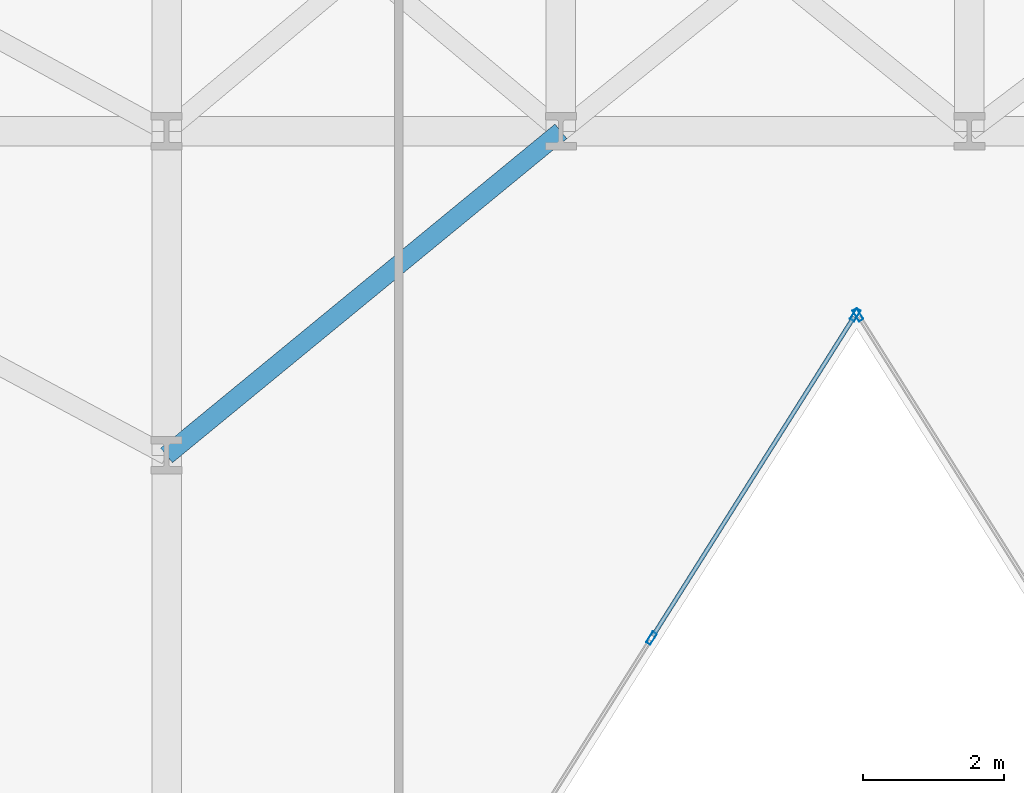
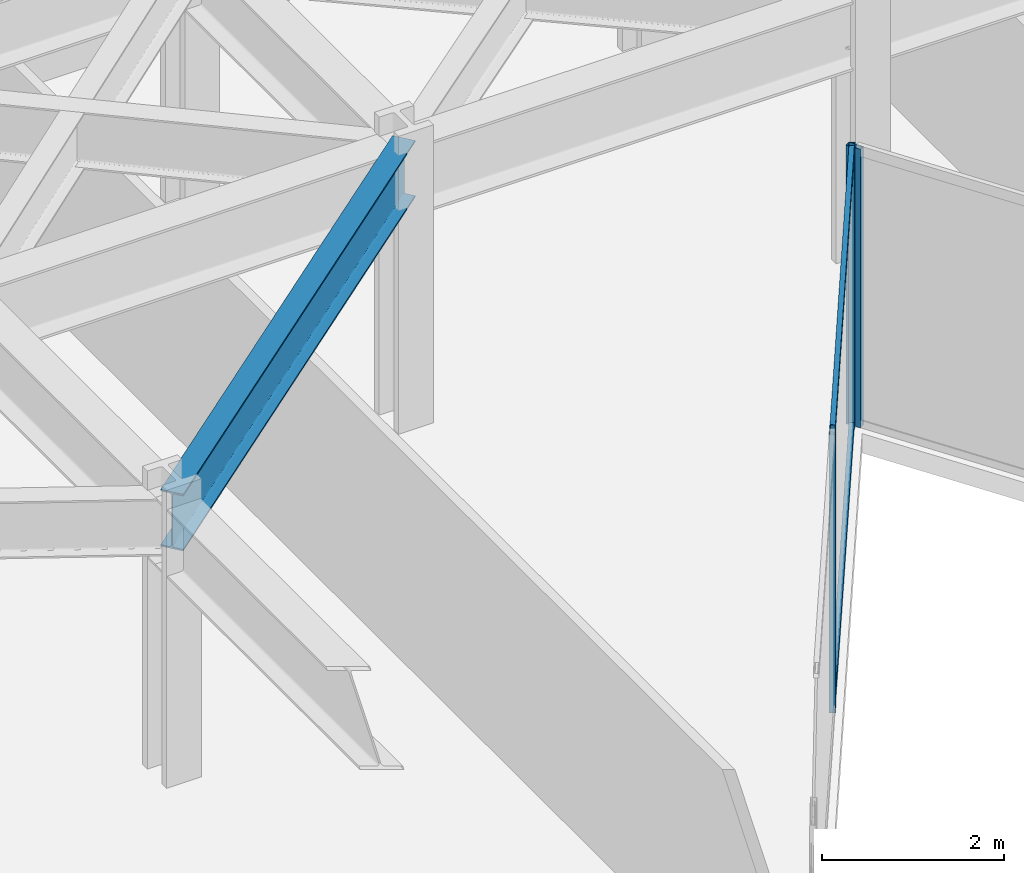
# One storey, part 10 of 24: 5 members, 1 beam, 2 elements without a shape of their own.
"""IFC4 building model written with IfcOpenShell, lengths in metres."""

from ifc_helpers import new_model, si_unit, direction, frame, origin, origin_2d, place, context, subcontext, project, spatial, hollow_rectangle, i_section, extrude, material, layer, layer_set, material_profile, profile_set, type_object, element, aggregate, save


model = new_model("IFC4")

# Units and contexts
model_context = context("Model", 3, precision=1e-05, world=origin(), true_north=direction((0.0, 1.0)))
body_context = subcontext(model_context, "Body", "Model", "MODEL_VIEW")
ifc_project = project(units=[si_unit("LENGTHUNIT", "METRE"), si_unit("AREAUNIT", "SQUARE_METRE"), si_unit("VOLUMEUNIT", "CUBIC_METRE"), si_unit("PLANEANGLEUNIT", "RADIAN"), si_unit("MASSUNIT", "GRAM", prefix="KILO")], contexts=[model_context])

# Site, building, storey
site_placement = place(None, origin())
site = spatial("IfcSite", under=ifc_project, at=site_placement, CompositionType="ELEMENT")
building_placement = place(site_placement, origin())
building = spatial("IfcBuilding", under=site, at=building_placement, Name="Kravanh Interchange Tower", CompositionType="ELEMENT")
storey_placement = place(building_placement, frame((0.0, 0.0, 53.5)))
storey = spatial("IfcBuildingStorey", under=building, at=storey_placement, Name="L12", CompositionType="ELEMENT", Elevation=53.5)

# Curtain wall, member
ifc_material_1 = material(Name="Anodised Bronze Aluminium", Category="aluminium")
ifc_layer = layer(ifc_material_1, 0.179931640625)
ifc_layer_set = layer_set([ifc_layer], Name="Unitised Curtain Wall System CW-Z1 Lower Office")
curtain_wall_type = type_object("IfcCurtainWallType", Name="Unitised Curtain Wall System CW-Z1 Lower Office", PredefinedType="NOTDEFINED", material=ifc_layer_set)
curtain_wall_1_placement = place(storey_placement, origin())
curtain_wall_1 = element("IfcCurtainWall", 1, at=curtain_wall_1_placement, inside=storey, type_object=curtain_wall_type, Name="L12 Unitised Curtain Wall CW-L12-04", PredefinedType="NOTDEFINED")
ifc_material_2 = material(Name="Anodised Bronze Aluminium", Category="aluminium")
ifc_material_profile_1 = material_profile(ifc_material_2, hollow_rectangle(XDim=0.070068359375, YDim=0.179931640625, WallThickness=0.00390625, at=origin_2d()), Name="ALU70X180X4")
ifc_profile_set_1 = profile_set([ifc_material_profile_1], Name="Anodised Bronze Aluminium")
member_type_1 = type_object("IfcMemberType", Name="Curtain Wall Mullion ALU70X180X4 Bronze", PredefinedType="MULLION", material=ifc_profile_set_1)
member_1_placement = place(storey_placement, frame((37.0185546875, 24.1953125, 0.0), z_axis=(0.0, 0.0, 1.0), x_axis=(-0.845925530786, -0.53330103728, 0.0)))
member_1 = element("IfcMember", 2, at=member_1_placement, type_object=member_type_1, Name="CW-Z1 mullion 6", PredefinedType="MULLION", context=body_context, shape_type="SweptSolid", body=[
    extrude(hollow_rectangle(XDim=0.070068359375, YDim=0.179931640625, WallThickness=0.00390625, at=origin_2d()), origin(), (0.0, 0.0, 1.0), 3.739990234375),
])
aggregate(curtain_wall_1, [member_1])

# Curtain wall, members
curtain_wall_2_placement = place(storey_placement, origin())
curtain_wall_2 = element("IfcCurtainWall", 3, at=curtain_wall_2_placement, inside=storey, type_object=curtain_wall_type, Name="L12 Unitised Curtain Wall CW-L12-05", PredefinedType="NOTDEFINED")
member_2_placement = place(storey_placement, frame((36.9814453125, 24.1953125, 0.0), z_axis=(0.0, 0.0, 1.0), x_axis=(0.845925530786, -0.53330103728, 0.0)))
member_2 = element("IfcMember", 4, at=member_2_placement, type_object=member_type_1, Name="CW-Z1 mullion 1", PredefinedType="MULLION", context=body_context, shape_type="SweptSolid", body=[
    extrude(hollow_rectangle(XDim=0.070068359375, YDim=0.179931640625, WallThickness=0.00390625, at=origin_2d()), origin(), (0.0, 0.0, 1.0), 3.739990234375),
])
member_3_placement = place(storey_placement, frame((34.086669921875, 19.60400390625, 0.0), z_axis=(0.0, 0.0, 1.0), x_axis=(0.845925530786, -0.53330103728, 0.0)))
member_3 = element("IfcMember", 5, at=member_3_placement, type_object=member_type_1, Name="CW-Z1 mullion 2", PredefinedType="MULLION", context=body_context, shape_type="SweptSolid", body=[
    extrude(hollow_rectangle(XDim=0.070068359375, YDim=0.179931640625, WallThickness=0.00390625, at=origin_2d()), origin(), (0.0, 0.0, 1.0), 3.739990234375),
])
ifc_material_3 = material(Name="Anodised Bronze Aluminium", Category="aluminium")
ifc_material_profile_2 = material_profile(ifc_material_3, hollow_rectangle(XDim=0.06005859375, YDim=0.139892578125, WallThickness=0.00390625, at=origin_2d()), Name="ALU60X140X4")
ifc_profile_set_2 = profile_set([ifc_material_profile_2], Name="Anodised Bronze Aluminium")
member_type_2 = type_object("IfcMemberType", Name="Curtain Wall Transom ALU60X140X4 Bronze", PredefinedType="USERDEFINED", material=ifc_profile_set_2)
member_4_placement = place(storey_placement, frame((36.962646484375, 24.165771484375, 0.030029296875), z_axis=(-0.533288163518, -0.845933646719, 0.0), x_axis=(0.845933646719, -0.533288163518, 0.0)))
member_4 = element("IfcMember", 6, at=member_4_placement, type_object=member_type_2, Name="CW-Z1 transom 1.1", ObjectType="TRANSOM", PredefinedType="USERDEFINED", context=body_context, shape_type="SweptSolid", body=[
    extrude(hollow_rectangle(XDim=0.06005859375, YDim=0.139892578125, WallThickness=0.00390625, at=origin_2d()), origin(), (0.0, 0.0, 1.0), 5.357666015625),
])
member_5_placement = place(storey_placement, frame((36.962646484375, 24.165771484375, 3.7099609375), z_axis=(-0.533288163518, -0.845933646719, 0.0), x_axis=(0.845933646719, -0.533288163518, 0.0)))
member_5 = element("IfcMember", 7, at=member_5_placement, type_object=member_type_2, Name="CW-Z1 transom 1.2", ObjectType="TRANSOM", PredefinedType="USERDEFINED", context=body_context, shape_type="SweptSolid", body=[
    extrude(hollow_rectangle(XDim=0.06005859375, YDim=0.139892578125, WallThickness=0.00390625, at=origin_2d()), origin(), (0.0, 0.0, 1.0), 5.357666015625),
])
aggregate(curtain_wall_2, [member_2, member_3, member_4, member_5])

# Beam
ifc_material_4 = material(Name="Structural Steel S355", Category="steel")
ifc_material_profile_3 = material_profile(ifc_material_4, i_section(OverallWidth=0.26708984375, OverallDepth=0.761962890625, WebThickness=0.014404296875, FlangeThickness=0.021484375, FilletRadius=0.02490234375, at=origin_2d()), Name="W30X116")
ifc_profile_set_3 = profile_set([ifc_material_profile_3], Name="Structural Steel S355")
beam_type = type_object("IfcBeamType", Name="Floor Spandrel W30X116 Structural Steel S355", PredefinedType="SPANDREL", material=ifc_profile_set_3)
beam_placement = place(storey_placement, frame((27.199951171875, 22.199951171875, 3.35888671875), z_axis=(0.772725074305, 0.634740860147, 0.0), x_axis=(-0.634740860147, 0.772725074305, 0.0)))
element("IfcBeam", 8, at=beam_placement, inside=storey, type_object=beam_type, Name="L12 Perimeter Spandrel 55", PredefinedType="SPANDREL", context=body_context, shape_type="SweptSolid", body=[
    extrude(i_section(OverallWidth=0.26708984375, OverallDepth=0.761962890625, WebThickness=0.014404296875, FlangeThickness=0.021484375, FilletRadius=0.02490234375, at=origin_2d()), origin(), (0.0, 0.0, 1.0), 7.247314453125),
])

save(model, "model.ifc")
